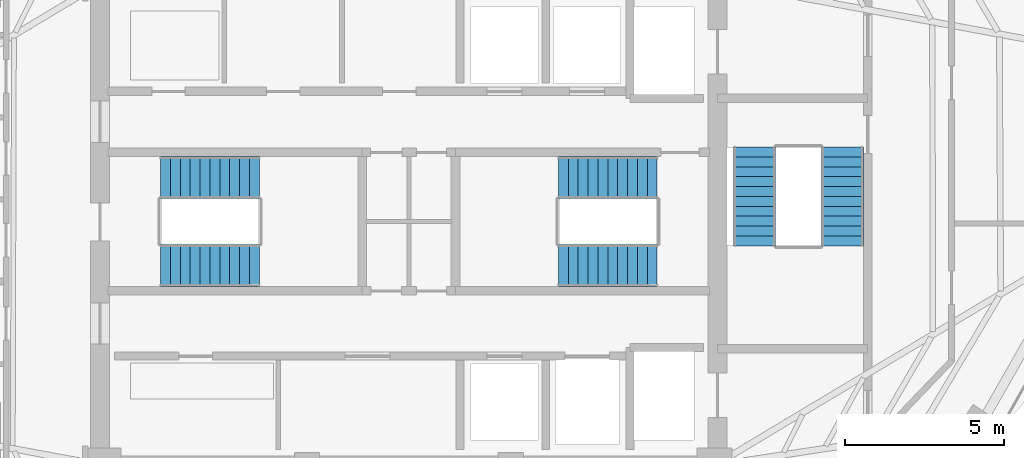
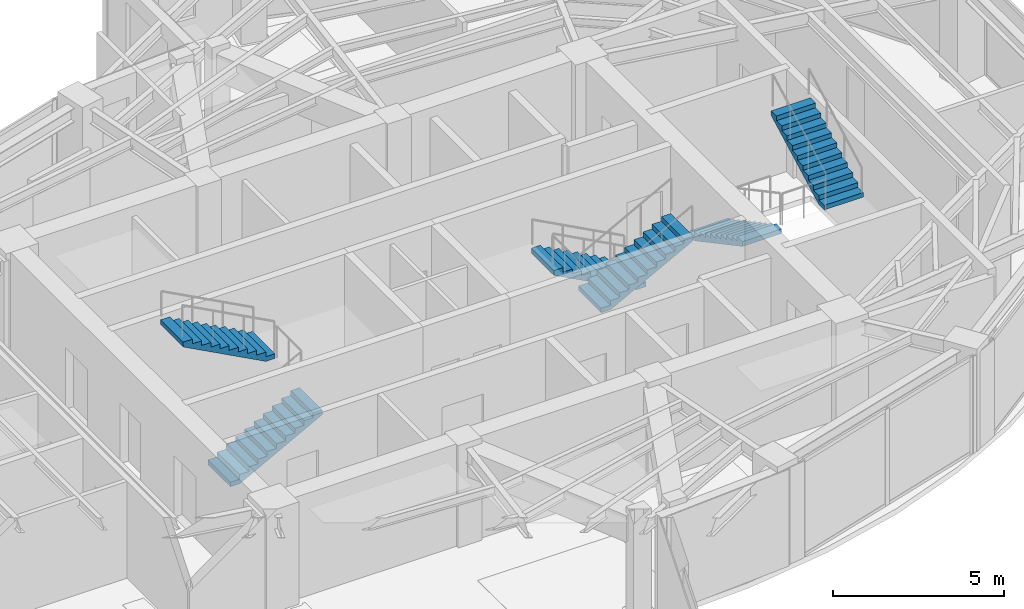
# One storey, part 21 of 23: 6 stair flights, 3 elements without a shape of their own.
"""IFC4 building model written with IfcOpenShell, lengths in metres."""

from ifc_helpers import new_model, si_unit, direction, frame, origin, place, context, subcontext, project, spatial, polyline, outline, extrude, material, type_object, element, aggregate, save


model = new_model("IFC4")

# Units and contexts
model_context = context("Model", 3, precision=1e-05, world=origin(), true_north=direction((0.0, 1.0)))
body_context = subcontext(model_context, "Body", "Model", "MODEL_VIEW")
ifc_project = project(units=[si_unit("LENGTHUNIT", "METRE"), si_unit("AREAUNIT", "SQUARE_METRE"), si_unit("VOLUMEUNIT", "CUBIC_METRE"), si_unit("PLANEANGLEUNIT", "RADIAN"), si_unit("MASSUNIT", "GRAM", prefix="KILO")], contexts=[model_context])

# Site, building, storey
site_placement = place(None, origin())
site = spatial("IfcSite", under=ifc_project, at=site_placement, CompositionType="ELEMENT")
building_placement = place(site_placement, origin())
building = spatial("IfcBuilding", under=site, at=building_placement, Name="Lazwardi Medical Tower", CompositionType="ELEMENT")
storey_placement = place(building_placement, frame((0.0, 0.0, 213.072021484375)))
storey = spatial("IfcBuildingStorey", under=building, at=storey_placement, Name="L55", CompositionType="ELEMENT", Elevation=213.072021484375)

# Stair, stair flights
ifc_material = material(Name="Concrete C45/55", Category="concrete")
stair_type = type_object("IfcStairType", Name="STR-WRD", PredefinedType="HALF_TURN_STAIR", material=ifc_material)
stair_1_placement = place(storey_placement, origin())
stair_1 = element("IfcStair", 1, at=stair_1_placement, inside=storey, type_object=stair_type, Name="L55 Protected Exit Stair ST1", PredefinedType="HALF_TURN_STAIR")
stair_flight_type = type_object("IfcStairFlightType", Name="FLT-WRD", PredefinedType="STRAIGHT", material=ifc_material)
stair_flight_1_placement = place(storey_placement, frame((28.199951171875, 26.679931640625, 0.0), z_axis=(0.0, 0.0, 1.0), x_axis=(1.0, 0.0, 0.0)))
stair_flight_1 = element("IfcStairFlight", 2, at=stair_flight_1_placement, type_object=stair_flight_type, Name="ST1 flight 1", NumberOfRisers=11, NumberOfTreads=10, PredefinedType="STRAIGHT", RiserHeight=0.165818182, TreadLength=0.31, context=body_context, shape_type="SweptSolid", body=[
    extrude(outline(polyline([(0.0, 0.0), (0.0, 0.165771484375), (0.31005859375, 0.165771484375), (0.31005859375, 0.33154296875), (0.6201171875, 0.33154296875), (0.6201171875, 0.49755859375), (0.929931640625, 0.49755859375), (0.929931640625, 0.663330078125), (1.239990234375, 0.663330078125), (1.239990234375, 0.8291015625), (1.550048828125, 0.8291015625), (1.550048828125, 0.994873046875), (1.860107421875, 0.994873046875), (1.860107421875, 1.16064453125), (2.169921875, 1.16064453125), (2.169921875, 1.32666015625), (2.47998046875, 1.32666015625), (2.47998046875, 1.492431640625), (2.7900390625, 1.492431640625), (2.7900390625, 1.658203125), (3.10009765625, 1.658203125), (3.10009765625, 1.823974609375), (3.10009765625, 1.48828125), (0.31787109375, 0.0), (0.0, 0.0)])), frame((0.0, 0.66015625, 0.0), z_axis=(0.0, -1.0, 0.0), x_axis=(1.0, 0.0, 0.0)), (0.0, 0.0, 1.0), 1.320068359375),
])
stair_flight_2_placement = place(storey_placement, frame((31.300048828125, 29.43994140625, 1.823974609375), z_axis=(0.0, 0.0, 1.0), x_axis=(-1.0, 0.0, 0.0)))
stair_flight_2 = element("IfcStairFlight", 3, at=stair_flight_2_placement, type_object=stair_flight_type, Name="ST1 flight 2", NumberOfRisers=11, NumberOfTreads=10, PredefinedType="STRAIGHT", RiserHeight=0.165818182, TreadLength=0.31, context=body_context, shape_type="SweptSolid", body=[
    extrude(outline(polyline([(0.0, 0.0), (0.0, 0.165771484375), (0.31005859375, 0.165771484375), (0.31005859375, 0.33154296875), (0.6201171875, 0.33154296875), (0.6201171875, 0.49755859375), (0.929931640625, 0.49755859375), (0.929931640625, 0.663330078125), (1.239990234375, 0.663330078125), (1.239990234375, 0.8291015625), (1.550048828125, 0.8291015625), (1.550048828125, 0.994873046875), (1.860107421875, 0.994873046875), (1.860107421875, 1.16064453125), (2.169921875, 1.16064453125), (2.169921875, 1.32666015625), (2.47998046875, 1.32666015625), (2.47998046875, 1.492431640625), (2.7900390625, 1.492431640625), (2.7900390625, 1.658203125), (3.10009765625, 1.658203125), (3.10009765625, 1.823974609375), (3.10009765625, 1.48828125), (0.31787109375, 0.0), (0.0, 0.0)])), frame((0.0, 0.66015625, 0.0), z_axis=(0.0, -1.0, 0.0), x_axis=(1.0, 0.0, 0.0)), (0.0, 0.0, 1.0), 1.320068359375),
])
aggregate(stair_1, [stair_flight_1, stair_flight_2])

stair_2_placement = place(storey_placement, origin())
stair_2 = element("IfcStair", 4, at=stair_2_placement, inside=storey, type_object=stair_type, Name="L55 Protected Exit Stair ST2", PredefinedType="HALF_TURN_STAIR")
stair_flight_3_placement = place(storey_placement, frame((43.800048828125, 29.43994140625, 0.0), z_axis=(0.0, 0.0, 1.0), x_axis=(-1.0, 0.0, 0.0)))
stair_flight_3 = element("IfcStairFlight", 5, at=stair_flight_3_placement, type_object=stair_flight_type, Name="ST2 flight 1", NumberOfRisers=11, NumberOfTreads=10, PredefinedType="STRAIGHT", RiserHeight=0.165818182, TreadLength=0.31, context=body_context, shape_type="SweptSolid", body=[
    extrude(outline(polyline([(0.0, 0.0), (0.0, 0.165771484375), (0.31005859375, 0.165771484375), (0.31005859375, 0.33154296875), (0.6201171875, 0.33154296875), (0.6201171875, 0.49755859375), (0.929931640625, 0.49755859375), (0.929931640625, 0.663330078125), (1.239990234375, 0.663330078125), (1.239990234375, 0.8291015625), (1.550048828125, 0.8291015625), (1.550048828125, 0.994873046875), (1.860107421875, 0.994873046875), (1.860107421875, 1.16064453125), (2.169921875, 1.16064453125), (2.169921875, 1.32666015625), (2.47998046875, 1.32666015625), (2.47998046875, 1.492431640625), (2.7900390625, 1.492431640625), (2.7900390625, 1.658203125), (3.10009765625, 1.658203125), (3.10009765625, 1.823974609375), (3.10009765625, 1.48828125), (0.31787109375, 0.0), (0.0, 0.0)])), frame((0.0, 0.66015625, 0.0), z_axis=(0.0, -1.0, 0.0), x_axis=(1.0, 0.0, 0.0)), (0.0, 0.0, 1.0), 1.320068359375),
])
stair_flight_4_placement = place(storey_placement, frame((40.699951171875, 26.679931640625, 1.823974609375), z_axis=(0.0, 0.0, 1.0), x_axis=(1.0, 0.0, 0.0)))
stair_flight_4 = element("IfcStairFlight", 6, at=stair_flight_4_placement, type_object=stair_flight_type, Name="ST2 flight 2", NumberOfRisers=11, NumberOfTreads=10, PredefinedType="STRAIGHT", RiserHeight=0.165818182, TreadLength=0.31, context=body_context, shape_type="SweptSolid", body=[
    extrude(outline(polyline([(0.0, 0.0), (0.0, 0.165771484375), (0.31005859375, 0.165771484375), (0.31005859375, 0.33154296875), (0.6201171875, 0.33154296875), (0.6201171875, 0.49755859375), (0.929931640625, 0.49755859375), (0.929931640625, 0.663330078125), (1.239990234375, 0.663330078125), (1.239990234375, 0.8291015625), (1.550048828125, 0.8291015625), (1.550048828125, 0.994873046875), (1.860107421875, 0.994873046875), (1.860107421875, 1.16064453125), (2.169921875, 1.16064453125), (2.169921875, 1.32666015625), (2.47998046875, 1.32666015625), (2.47998046875, 1.492431640625), (2.7900390625, 1.492431640625), (2.7900390625, 1.658203125), (3.10009765625, 1.658203125), (3.10009765625, 1.823974609375), (3.10009765625, 1.48828125), (0.31787109375, 0.0), (0.0, 0.0)])), frame((0.0, 0.66015625, 0.0), z_axis=(0.0, -1.0, 0.0), x_axis=(1.0, 0.0, 0.0)), (0.0, 0.0, 1.0), 1.320068359375),
])
aggregate(stair_2, [stair_flight_3, stair_flight_4])

stair_3_placement = place(storey_placement, origin())
stair_3 = element("IfcStair", 7, at=stair_3_placement, inside=storey, type_object=stair_type, Name="L55 Protected Exit Stair ST3", PredefinedType="HALF_TURN_STAIR")
stair_flight_5_placement = place(storey_placement, frame((46.860107421875, 30.39990234375, 0.0), z_axis=(0.0, 0.0, 1.0), x_axis=(0.0, -1.0, 0.0)))
stair_flight_5 = element("IfcStairFlight", 8, at=stair_flight_5_placement, type_object=stair_flight_type, Name="ST3 flight 1", NumberOfRisers=11, NumberOfTreads=10, PredefinedType="STRAIGHT", RiserHeight=0.165818182, TreadLength=0.31, context=body_context, shape_type="SweptSolid", body=[
    extrude(outline(polyline([(0.0, 0.0), (0.0, 0.165771484375), (0.31005859375, 0.165771484375), (0.31005859375, 0.33154296875), (0.6201171875, 0.33154296875), (0.6201171875, 0.49755859375), (0.929931640625, 0.49755859375), (0.929931640625, 0.663330078125), (1.239990234375, 0.663330078125), (1.239990234375, 0.8291015625), (1.550048828125, 0.8291015625), (1.550048828125, 0.994873046875), (1.860107421875, 0.994873046875), (1.860107421875, 1.16064453125), (2.169921875, 1.16064453125), (2.169921875, 1.32666015625), (2.47998046875, 1.32666015625), (2.47998046875, 1.492431640625), (2.7900390625, 1.492431640625), (2.7900390625, 1.658203125), (3.10009765625, 1.658203125), (3.10009765625, 1.823974609375), (3.10009765625, 1.48828125), (0.31787109375, 0.0), (0.0, 0.0)])), frame((0.0, 0.66015625, 0.0), z_axis=(0.0, -1.0, 0.0), x_axis=(1.0, 0.0, 0.0)), (0.0, 0.0, 1.0), 1.320068359375),
])
stair_flight_6_placement = place(storey_placement, frame((49.6201171875, 27.300048828125, 1.823974609375), z_axis=(0.0, 0.0, 1.0), x_axis=(0.0, 1.0, 0.0)))
stair_flight_6 = element("IfcStairFlight", 9, at=stair_flight_6_placement, type_object=stair_flight_type, Name="ST3 flight 2", NumberOfRisers=11, NumberOfTreads=10, PredefinedType="STRAIGHT", RiserHeight=0.165818182, TreadLength=0.31, context=body_context, shape_type="SweptSolid", body=[
    extrude(outline(polyline([(0.0, 0.0), (0.0, 0.165771484375), (0.31005859375, 0.165771484375), (0.31005859375, 0.33154296875), (0.6201171875, 0.33154296875), (0.6201171875, 0.49755859375), (0.929931640625, 0.49755859375), (0.929931640625, 0.663330078125), (1.239990234375, 0.663330078125), (1.239990234375, 0.8291015625), (1.550048828125, 0.8291015625), (1.550048828125, 0.994873046875), (1.860107421875, 0.994873046875), (1.860107421875, 1.16064453125), (2.169921875, 1.16064453125), (2.169921875, 1.32666015625), (2.47998046875, 1.32666015625), (2.47998046875, 1.492431640625), (2.7900390625, 1.492431640625), (2.7900390625, 1.658203125), (3.10009765625, 1.658203125), (3.10009765625, 1.823974609375), (3.10009765625, 1.48828125), (0.31787109375, 0.0), (0.0, 0.0)])), frame((0.0, 0.66015625, 0.0), z_axis=(0.0, -1.0, 0.0), x_axis=(1.0, 0.0, 0.0)), (0.0, 0.0, 1.0), 1.320068359375),
])
aggregate(stair_3, [stair_flight_5, stair_flight_6])

save(model, "model.ifc")
